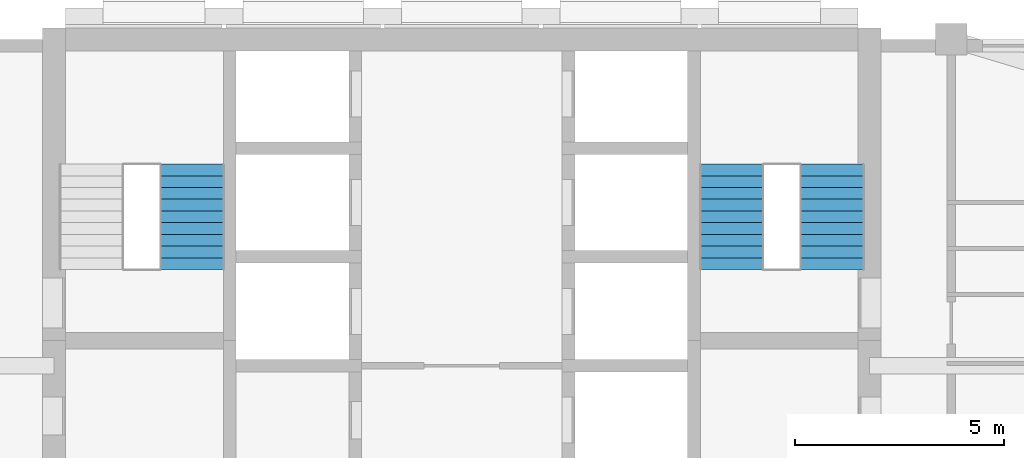
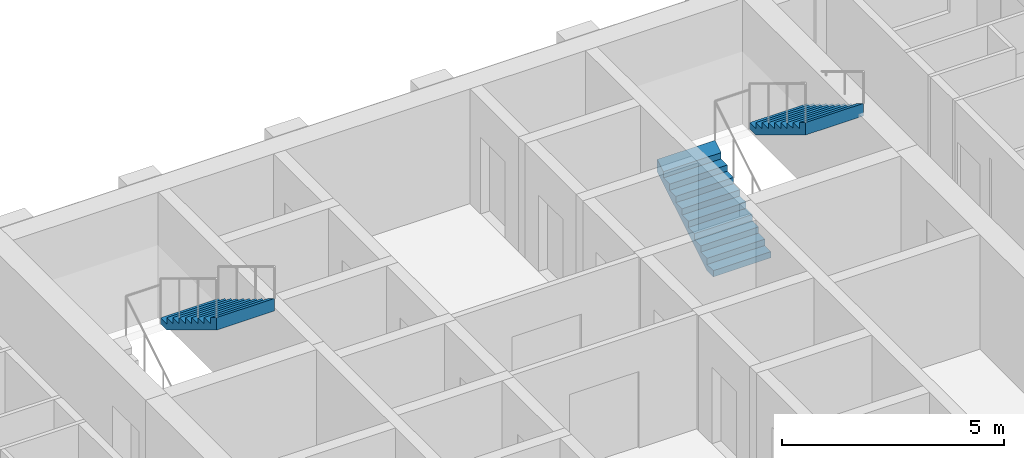
# One storey, part 11 of 13: 3 stair flights, 2 elements without a shape of their own.
"""IFC4 building model written with IfcOpenShell, lengths in metres."""

from ifc_helpers import new_model, si_unit, direction, frame, origin, place, context, subcontext, project, spatial, triangles, material, type_object, element, aggregate, save


model = new_model("IFC4")

# Units and contexts
model_context = context("Model", 3, precision=1e-05, world=origin(), true_north=direction((0.0, 1.0)))
body_context = subcontext(model_context, "Body", "Model", "MODEL_VIEW")
ifc_project = project(units=[si_unit("LENGTHUNIT", "METRE"), si_unit("AREAUNIT", "SQUARE_METRE"), si_unit("VOLUMEUNIT", "CUBIC_METRE"), si_unit("PLANEANGLEUNIT", "RADIAN"), si_unit("MASSUNIT", "GRAM", prefix="KILO")], contexts=[model_context])

# Site, building, storey
site_placement = place(None, origin())
site = spatial("IfcSite", under=ifc_project, at=site_placement, CompositionType="ELEMENT")
building_placement = place(site_placement, origin())
building = spatial("IfcBuilding", under=site, at=building_placement, Name="Ludao Terraces", CompositionType="ELEMENT")
storey_placement = place(building_placement, frame((0.0, 0.0, 179.199951171875)))
storey = spatial("IfcBuildingStorey", under=building, at=storey_placement, Name="L48", CompositionType="ELEMENT", Elevation=179.199951171875)

# Stair, stair flight
ifc_material = material(Name="Concrete C40", Category="concrete")
stair_type = type_object("IfcStairType", Name="INT Stair", PredefinedType="HALF_TURN_STAIR", material=ifc_material)
stair_1_placement = place(storey_placement, origin())
stair_1 = element("IfcStair", 1, at=stair_1_placement, inside=storey, type_object=stair_type, Name="EXIT STAIR 1", PredefinedType="HALF_TURN_STAIR")
stair_flight_type = type_object("IfcStairFlightType", Name="INT Stair flight", PredefinedType="STRAIGHT", material=ifc_material)
stair_flight_1_placement = place(storey_placement, frame((78.550048828125, 81.52001953125, 1.699951171875), z_axis=(0.0, 0.0, 1.0), x_axis=(0.0, -1.0, 0.0)))
stair_flight_1 = element("IfcStairFlight", 2, at=stair_flight_1_placement, type_object=stair_flight_type, Name="ST1 flight 2", NumberOfRisers=10, NumberOfTreads=9, PredefinedType="STRAIGHT", RiserHeight=0.17, TreadLength=0.28, context=body_context, shape_type="Tessellation", body=[
    triangles([(0.0, -0.75, 0.0), (0.0, -0.5, 0.0), (0.0, -0.25, 0.0), (0.0, 0.0, 0.0), (0.0, 0.25, 0.0), (0.0, 0.5, 0.0), (0.0, 0.75, 0.0), (0.0, -0.75, 0.169921875), (0.0, -0.5, 0.169921875), (0.0, -0.25, 0.169921875), (0.0, 0.0, 0.169921875), (0.0, 0.25, 0.169921875), (0.0, 0.5, 0.169921875), (0.0, 0.75, 0.169921875), (0.280029296875, -0.75, 0.169921875), (0.280029296875, -0.5, 0.169921875), (0.280029296875, -0.25, 0.169921875), (0.280029296875, 0.0, 0.169921875), (0.280029296875, 0.25, 0.169921875), (0.280029296875, 0.5, 0.169921875), (0.280029296875, 0.75, 0.169921875), (0.280029296875, -0.75, 0.340087890625), (0.280029296875, -0.5, 0.340087890625), (0.280029296875, -0.25, 0.340087890625), (0.280029296875, 0.0, 0.340087890625), (0.280029296875, 0.25, 0.340087890625), (0.280029296875, 0.5, 0.340087890625), (0.280029296875, 0.75, 0.340087890625), (0.56005859375, -0.75, 0.340087890625), (0.56005859375, -0.5, 0.340087890625), (0.56005859375, -0.25, 0.340087890625), (0.56005859375, 0.0, 0.340087890625), (0.56005859375, 0.25, 0.340087890625), (0.56005859375, 0.5, 0.340087890625), (0.56005859375, 0.75, 0.340087890625), (0.56005859375, -0.75, 0.510009765625), (0.56005859375, -0.5, 0.510009765625), (0.56005859375, -0.25, 0.510009765625), (0.56005859375, 0.0, 0.510009765625), (0.56005859375, 0.25, 0.510009765625), (0.56005859375, 0.5, 0.510009765625), (0.56005859375, 0.75, 0.510009765625), (0.840087890625, -0.75, 0.510009765625), (0.840087890625, -0.5, 0.510009765625), (0.840087890625, -0.25, 0.510009765625), (0.840087890625, 0.0, 0.510009765625), (0.840087890625, 0.25, 0.510009765625), (0.840087890625, 0.5, 0.510009765625), (0.840087890625, 0.75, 0.510009765625), (0.840087890625, -0.75, 0.679931640625), (0.840087890625, -0.5, 0.679931640625), (0.840087890625, -0.25, 0.679931640625), (0.840087890625, 0.0, 0.679931640625), (0.840087890625, 0.25, 0.679931640625), (0.840087890625, 0.5, 0.679931640625), (0.840087890625, 0.75, 0.679931640625), (1.1201171875, -0.75, 0.679931640625), (1.1201171875, -0.5, 0.679931640625), (1.1201171875, -0.25, 0.679931640625), (1.1201171875, 0.0, 0.679931640625), (1.1201171875, 0.25, 0.679931640625), (1.1201171875, 0.5, 0.679931640625), (1.1201171875, 0.75, 0.679931640625), (1.1201171875, -0.75, 0.85009765625), (1.1201171875, -0.5, 0.85009765625), (1.1201171875, -0.25, 0.85009765625), (1.1201171875, 0.0, 0.85009765625), (1.1201171875, 0.25, 0.85009765625), (1.1201171875, 0.5, 0.85009765625), (1.1201171875, 0.75, 0.85009765625), (1.39990234375, -0.75, 0.85009765625), (1.39990234375, -0.5, 0.85009765625), (1.39990234375, -0.25, 0.85009765625), (1.39990234375, 0.0, 0.85009765625), (1.39990234375, 0.25, 0.85009765625), (1.39990234375, 0.5, 0.85009765625), (1.39990234375, 0.75, 0.85009765625), (1.39990234375, -0.75, 1.02001953125), (1.39990234375, -0.5, 1.02001953125), (1.39990234375, -0.25, 1.02001953125), (1.39990234375, 0.0, 1.02001953125), (1.39990234375, 0.25, 1.02001953125), (1.39990234375, 0.5, 1.02001953125), (1.39990234375, 0.75, 1.02001953125), (1.679931640625, -0.75, 1.02001953125), (1.679931640625, -0.5, 1.02001953125), (1.679931640625, -0.25, 1.02001953125), (1.679931640625, 0.0, 1.02001953125), (1.679931640625, 0.25, 1.02001953125), (1.679931640625, 0.5, 1.02001953125), (1.679931640625, 0.75, 1.02001953125), (1.679931640625, -0.75, 1.18994140625), (1.679931640625, -0.5, 1.18994140625), (1.679931640625, -0.25, 1.18994140625), (1.679931640625, 0.0, 1.18994140625), (1.679931640625, 0.25, 1.18994140625), (1.679931640625, 0.5, 1.18994140625), (1.679931640625, 0.75, 1.18994140625), (1.9599609375, -0.75, 1.18994140625), (1.9599609375, -0.5, 1.18994140625), (1.9599609375, -0.25, 1.18994140625), (1.9599609375, 0.0, 1.18994140625), (1.9599609375, 0.25, 1.18994140625), (1.9599609375, 0.5, 1.18994140625), (1.9599609375, 0.75, 1.18994140625), (1.9599609375, -0.75, 1.360107421875), (1.9599609375, -0.5, 1.360107421875), (1.9599609375, -0.25, 1.360107421875), (1.9599609375, 0.0, 1.360107421875), (1.9599609375, 0.25, 1.360107421875), (1.9599609375, 0.5, 1.360107421875), (1.9599609375, 0.75, 1.360107421875), (2.239990234375, -0.75, 1.360107421875), (2.239990234375, -0.5, 1.360107421875), (2.239990234375, -0.25, 1.360107421875), (2.239990234375, 0.0, 1.360107421875), (2.239990234375, 0.25, 1.360107421875), (2.239990234375, 0.5, 1.360107421875), (2.239990234375, 0.75, 1.360107421875), (2.239990234375, -0.75, 1.530029296875), (2.239990234375, -0.5, 1.530029296875), (2.239990234375, -0.25, 1.530029296875), (2.239990234375, 0.0, 1.530029296875), (2.239990234375, 0.25, 1.530029296875), (2.239990234375, 0.5, 1.530029296875), (2.239990234375, 0.75, 1.530029296875), (2.52001953125, -0.75, 1.699951171875), (2.52001953125, -0.5, 1.699951171875), (2.52001953125, -0.25, 1.699951171875), (2.52001953125, 0.0, 1.699951171875), (2.52001953125, 0.25, 1.699951171875), (2.52001953125, 0.5, 1.699951171875), (2.52001953125, 0.75, 1.699951171875), (2.52001953125, -0.75, 1.354736328125), (2.52001953125, -0.5, 1.354736328125), (2.52001953125, -0.25, 1.354736328125), (2.52001953125, 0.0, 1.354736328125), (2.52001953125, 0.25, 1.354736328125), (2.52001953125, 0.5, 1.354736328125), (2.52001953125, 0.75, 1.354736328125), (0.288818359375, -0.75, 0.0), (0.288818359375, -0.5, 0.0), (0.288818359375, -0.25, 0.0), (0.288818359375, 0.0, 0.0), (0.288818359375, 0.25, 0.0), (0.288818359375, 0.5, 0.0), (0.288818359375, 0.75, 0.0)], [[1, 141, 134], [7, 140, 147], [134, 127, 120], [140, 126, 133], [134, 120, 113], [140, 119, 126], [134, 113, 106], [140, 112, 119], [134, 106, 99], [140, 105, 112], [99, 92, 85], [105, 91, 98], [134, 99, 85], [140, 91, 105], [85, 78, 71], [91, 77, 84], [134, 85, 71], [140, 77, 91], [71, 64, 57], [77, 63, 70], [134, 71, 57], [140, 63, 77], [57, 50, 43], [63, 49, 56], [134, 57, 43], [140, 49, 63], [43, 36, 29], [49, 35, 42], [134, 43, 29], [140, 35, 49], [29, 22, 15], [35, 21, 28], [134, 29, 15], [140, 21, 35], [1, 134, 15], [7, 21, 140], [15, 8, 1], [21, 7, 14], [1, 9, 2], [1, 8, 9], [2, 10, 3], [2, 9, 10], [3, 11, 4], [3, 10, 11], [4, 12, 5], [4, 11, 12], [5, 13, 6], [5, 12, 13], [6, 14, 7], [6, 13, 14], [8, 16, 9], [8, 15, 16], [9, 17, 10], [9, 16, 17], [10, 18, 11], [10, 17, 18], [11, 19, 12], [11, 18, 19], [12, 20, 13], [12, 19, 20], [13, 21, 14], [13, 20, 21], [15, 23, 16], [15, 22, 23], [16, 24, 17], [16, 23, 24], [17, 25, 18], [17, 24, 25], [18, 26, 19], [18, 25, 26], [19, 27, 20], [19, 26, 27], [20, 28, 21], [20, 27, 28], [22, 30, 23], [22, 29, 30], [23, 31, 24], [23, 30, 31], [24, 32, 25], [24, 31, 32], [25, 33, 26], [25, 32, 33], [26, 34, 27], [26, 33, 34], [27, 35, 28], [27, 34, 35], [29, 37, 30], [29, 36, 37], [30, 38, 31], [30, 37, 38], [31, 39, 32], [31, 38, 39], [32, 40, 33], [32, 39, 40], [33, 41, 34], [33, 40, 41], [34, 42, 35], [34, 41, 42], [36, 44, 37], [36, 43, 44], [37, 45, 38], [37, 44, 45], [38, 46, 39], [38, 45, 46], [39, 47, 40], [39, 46, 47], [40, 48, 41], [40, 47, 48], [41, 49, 42], [41, 48, 49], [43, 51, 44], [43, 50, 51], [44, 52, 45], [44, 51, 52], [45, 53, 46], [45, 52, 53], [46, 54, 47], [46, 53, 54], [47, 55, 48], [47, 54, 55], [48, 56, 49], [48, 55, 56], [50, 58, 51], [50, 57, 58], [51, 59, 52], [51, 58, 59], [52, 60, 53], [52, 59, 60], [53, 61, 54], [53, 60, 61], [54, 62, 55], [54, 61, 62], [55, 63, 56], [55, 62, 63], [57, 65, 58], [57, 64, 65], [58, 66, 59], [58, 65, 66], [59, 67, 60], [59, 66, 67], [60, 68, 61], [60, 67, 68], [61, 69, 62], [61, 68, 69], [62, 70, 63], [62, 69, 70], [64, 72, 65], [64, 71, 72], [65, 73, 66], [65, 72, 73], [66, 74, 67], [66, 73, 74], [67, 75, 68], [67, 74, 75], [68, 76, 69], [68, 75, 76], [69, 77, 70], [69, 76, 77], [71, 79, 72], [71, 78, 79], [72, 80, 73], [72, 79, 80], [73, 81, 74], [73, 80, 81], [74, 82, 75], [74, 81, 82], [75, 83, 76], [75, 82, 83], [76, 84, 77], [76, 83, 84], [78, 86, 79], [78, 85, 86], [79, 87, 80], [79, 86, 87], [80, 88, 81], [80, 87, 88], [81, 89, 82], [81, 88, 89], [82, 90, 83], [82, 89, 90], [83, 91, 84], [83, 90, 91], [85, 93, 86], [85, 92, 93], [86, 94, 87], [86, 93, 94], [87, 95, 88], [87, 94, 95], [88, 96, 89], [88, 95, 96], [89, 97, 90], [89, 96, 97], [90, 98, 91], [90, 97, 98], [92, 100, 93], [92, 99, 100], [93, 101, 94], [93, 100, 101], [94, 102, 95], [94, 101, 102], [95, 103, 96], [95, 102, 103], [96, 104, 97], [96, 103, 104], [97, 105, 98], [97, 104, 105], [99, 107, 100], [99, 106, 107], [100, 108, 101], [100, 107, 108], [101, 109, 102], [101, 108, 109], [102, 110, 103], [102, 109, 110], [103, 111, 104], [103, 110, 111], [104, 112, 105], [104, 111, 112], [106, 114, 107], [106, 113, 114], [107, 115, 108], [107, 114, 115], [108, 116, 109], [108, 115, 116], [109, 117, 110], [109, 116, 117], [110, 118, 111], [110, 117, 118], [111, 119, 112], [111, 118, 119], [113, 121, 114], [113, 120, 121], [114, 122, 115], [114, 121, 122], [115, 123, 116], [115, 122, 123], [116, 124, 117], [116, 123, 124], [117, 125, 118], [117, 124, 125], [118, 126, 119], [118, 125, 126], [120, 128, 121], [120, 127, 128], [121, 129, 122], [121, 128, 129], [122, 130, 123], [122, 129, 130], [123, 131, 124], [123, 130, 131], [124, 132, 125], [124, 131, 132], [125, 133, 126], [125, 132, 133], [127, 135, 128], [127, 134, 135], [128, 136, 129], [128, 135, 136], [129, 137, 130], [129, 136, 137], [130, 138, 131], [130, 137, 138], [131, 139, 132], [131, 138, 139], [132, 140, 133], [132, 139, 140], [134, 142, 135], [134, 141, 142], [135, 143, 136], [135, 142, 143], [136, 144, 137], [136, 143, 144], [137, 145, 138], [137, 144, 145], [138, 146, 139], [138, 145, 146], [139, 147, 140], [139, 146, 147], [141, 2, 142], [141, 1, 2], [142, 3, 143], [142, 2, 3], [143, 4, 144], [143, 3, 4], [144, 5, 145], [144, 4, 5], [145, 6, 146], [145, 5, 6], [146, 7, 147], [146, 6, 7]], closed=True),
])
aggregate(stair_1, [stair_flight_1])

# Stair, stair flights
stair_2_placement = place(storey_placement, origin())
stair_2 = element("IfcStair", 3, at=stair_2_placement, inside=storey, type_object=stair_type, Name="EXIT STAIR 2", PredefinedType="HALF_TURN_STAIR")
stair_flight_2_placement = place(storey_placement, frame((91.449951171875, 79.0, 0.0), z_axis=(0.0, 0.0, 1.0), x_axis=(0.0, 1.0, 0.0)))
stair_flight_2 = element("IfcStairFlight", 4, at=stair_flight_2_placement, type_object=stair_flight_type, Name="ST2 flight 1", NumberOfRisers=10, NumberOfTreads=9, PredefinedType="STRAIGHT", RiserHeight=0.17, TreadLength=0.28, context=body_context, shape_type="Tessellation", body=[
    triangles([(0.0, -0.75, 0.0), (0.0, -0.5, 0.0), (0.0, -0.25, 0.0), (0.0, 0.0, 0.0), (0.0, 0.25, 0.0), (0.0, 0.5, 0.0), (0.0, 0.75, 0.0), (0.0, -0.75, 0.169921875), (0.0, -0.5, 0.169921875), (0.0, -0.25, 0.169921875), (0.0, 0.0, 0.169921875), (0.0, 0.25, 0.169921875), (0.0, 0.5, 0.169921875), (0.0, 0.75, 0.169921875), (0.280029296875, -0.75, 0.169921875), (0.280029296875, -0.5, 0.169921875), (0.280029296875, -0.25, 0.169921875), (0.280029296875, 0.0, 0.169921875), (0.280029296875, 0.25, 0.169921875), (0.280029296875, 0.5, 0.169921875), (0.280029296875, 0.75, 0.169921875), (0.280029296875, -0.75, 0.340087890625), (0.280029296875, -0.5, 0.340087890625), (0.280029296875, -0.25, 0.340087890625), (0.280029296875, 0.0, 0.340087890625), (0.280029296875, 0.25, 0.340087890625), (0.280029296875, 0.5, 0.340087890625), (0.280029296875, 0.75, 0.340087890625), (0.56005859375, -0.75, 0.340087890625), (0.56005859375, -0.5, 0.340087890625), (0.56005859375, -0.25, 0.340087890625), (0.56005859375, 0.0, 0.340087890625), (0.56005859375, 0.25, 0.340087890625), (0.56005859375, 0.5, 0.340087890625), (0.56005859375, 0.75, 0.340087890625), (0.56005859375, -0.75, 0.510009765625), (0.56005859375, -0.5, 0.510009765625), (0.56005859375, -0.25, 0.510009765625), (0.56005859375, 0.0, 0.510009765625), (0.56005859375, 0.25, 0.510009765625), (0.56005859375, 0.5, 0.510009765625), (0.56005859375, 0.75, 0.510009765625), (0.840087890625, -0.75, 0.510009765625), (0.840087890625, -0.5, 0.510009765625), (0.840087890625, -0.25, 0.510009765625), (0.840087890625, 0.0, 0.510009765625), (0.840087890625, 0.25, 0.510009765625), (0.840087890625, 0.5, 0.510009765625), (0.840087890625, 0.75, 0.510009765625), (0.840087890625, -0.75, 0.679931640625), (0.840087890625, -0.5, 0.679931640625), (0.840087890625, -0.25, 0.679931640625), (0.840087890625, 0.0, 0.679931640625), (0.840087890625, 0.25, 0.679931640625), (0.840087890625, 0.5, 0.679931640625), (0.840087890625, 0.75, 0.679931640625), (1.1201171875, -0.75, 0.679931640625), (1.1201171875, -0.5, 0.679931640625), (1.1201171875, -0.25, 0.679931640625), (1.1201171875, 0.0, 0.679931640625), (1.1201171875, 0.25, 0.679931640625), (1.1201171875, 0.5, 0.679931640625), (1.1201171875, 0.75, 0.679931640625), (1.1201171875, -0.75, 0.85009765625), (1.1201171875, -0.5, 0.85009765625), (1.1201171875, -0.25, 0.85009765625), (1.1201171875, 0.0, 0.85009765625), (1.1201171875, 0.25, 0.85009765625), (1.1201171875, 0.5, 0.85009765625), (1.1201171875, 0.75, 0.85009765625), (1.39990234375, -0.75, 0.85009765625), (1.39990234375, -0.5, 0.85009765625), (1.39990234375, -0.25, 0.85009765625), (1.39990234375, 0.0, 0.85009765625), (1.39990234375, 0.25, 0.85009765625), (1.39990234375, 0.5, 0.85009765625), (1.39990234375, 0.75, 0.85009765625), (1.39990234375, -0.75, 1.02001953125), (1.39990234375, -0.5, 1.02001953125), (1.39990234375, -0.25, 1.02001953125), (1.39990234375, 0.0, 1.02001953125), (1.39990234375, 0.25, 1.02001953125), (1.39990234375, 0.5, 1.02001953125), (1.39990234375, 0.75, 1.02001953125), (1.679931640625, -0.75, 1.02001953125), (1.679931640625, -0.5, 1.02001953125), (1.679931640625, -0.25, 1.02001953125), (1.679931640625, 0.0, 1.02001953125), (1.679931640625, 0.25, 1.02001953125), (1.679931640625, 0.5, 1.02001953125), (1.679931640625, 0.75, 1.02001953125), (1.679931640625, -0.75, 1.18994140625), (1.679931640625, -0.5, 1.18994140625), (1.679931640625, -0.25, 1.18994140625), (1.679931640625, 0.0, 1.18994140625), (1.679931640625, 0.25, 1.18994140625), (1.679931640625, 0.5, 1.18994140625), (1.679931640625, 0.75, 1.18994140625), (1.9599609375, -0.75, 1.18994140625), (1.9599609375, -0.5, 1.18994140625), (1.9599609375, -0.25, 1.18994140625), (1.9599609375, 0.0, 1.18994140625), (1.9599609375, 0.25, 1.18994140625), (1.9599609375, 0.5, 1.18994140625), (1.9599609375, 0.75, 1.18994140625), (1.9599609375, -0.75, 1.360107421875), (1.9599609375, -0.5, 1.360107421875), (1.9599609375, -0.25, 1.360107421875), (1.9599609375, 0.0, 1.360107421875), (1.9599609375, 0.25, 1.360107421875), (1.9599609375, 0.5, 1.360107421875), (1.9599609375, 0.75, 1.360107421875), (2.239990234375, -0.75, 1.360107421875), (2.239990234375, -0.5, 1.360107421875), (2.239990234375, -0.25, 1.360107421875), (2.239990234375, 0.0, 1.360107421875), (2.239990234375, 0.25, 1.360107421875), (2.239990234375, 0.5, 1.360107421875), (2.239990234375, 0.75, 1.360107421875), (2.239990234375, -0.75, 1.530029296875), (2.239990234375, -0.5, 1.530029296875), (2.239990234375, -0.25, 1.530029296875), (2.239990234375, 0.0, 1.530029296875), (2.239990234375, 0.25, 1.530029296875), (2.239990234375, 0.5, 1.530029296875), (2.239990234375, 0.75, 1.530029296875), (2.52001953125, -0.75, 1.699951171875), (2.52001953125, -0.5, 1.699951171875), (2.52001953125, -0.25, 1.699951171875), (2.52001953125, 0.0, 1.699951171875), (2.52001953125, 0.25, 1.699951171875), (2.52001953125, 0.5, 1.699951171875), (2.52001953125, 0.75, 1.699951171875), (2.52001953125, -0.75, 1.354736328125), (2.52001953125, -0.5, 1.354736328125), (2.52001953125, -0.25, 1.354736328125), (2.52001953125, 0.0, 1.354736328125), (2.52001953125, 0.25, 1.354736328125), (2.52001953125, 0.5, 1.354736328125), (2.52001953125, 0.75, 1.354736328125), (0.288818359375, -0.75, 0.0), (0.288818359375, -0.5, 0.0), (0.288818359375, -0.25, 0.0), (0.288818359375, 0.0, 0.0), (0.288818359375, 0.25, 0.0), (0.288818359375, 0.5, 0.0), (0.288818359375, 0.75, 0.0)], [[1, 141, 134], [7, 140, 147], [134, 127, 120], [140, 126, 133], [134, 120, 113], [140, 119, 126], [134, 113, 106], [140, 112, 119], [134, 106, 99], [140, 105, 112], [99, 92, 85], [105, 91, 98], [134, 99, 85], [140, 91, 105], [85, 78, 71], [91, 77, 84], [134, 85, 71], [140, 77, 91], [71, 64, 57], [77, 63, 70], [134, 71, 57], [140, 63, 77], [57, 50, 43], [63, 49, 56], [134, 57, 43], [140, 49, 63], [43, 36, 29], [49, 35, 42], [134, 43, 29], [140, 35, 49], [29, 22, 15], [35, 21, 28], [134, 29, 15], [140, 21, 35], [1, 134, 15], [7, 21, 140], [15, 8, 1], [21, 7, 14], [1, 9, 2], [1, 8, 9], [2, 10, 3], [2, 9, 10], [3, 11, 4], [3, 10, 11], [4, 12, 5], [4, 11, 12], [5, 13, 6], [5, 12, 13], [6, 14, 7], [6, 13, 14], [8, 16, 9], [8, 15, 16], [9, 17, 10], [9, 16, 17], [10, 18, 11], [10, 17, 18], [11, 19, 12], [11, 18, 19], [12, 20, 13], [12, 19, 20], [13, 21, 14], [13, 20, 21], [15, 23, 16], [15, 22, 23], [16, 24, 17], [16, 23, 24], [17, 25, 18], [17, 24, 25], [18, 26, 19], [18, 25, 26], [19, 27, 20], [19, 26, 27], [20, 28, 21], [20, 27, 28], [22, 30, 23], [22, 29, 30], [23, 31, 24], [23, 30, 31], [24, 32, 25], [24, 31, 32], [25, 33, 26], [25, 32, 33], [26, 34, 27], [26, 33, 34], [27, 35, 28], [27, 34, 35], [29, 37, 30], [29, 36, 37], [30, 38, 31], [30, 37, 38], [31, 39, 32], [31, 38, 39], [32, 40, 33], [32, 39, 40], [33, 41, 34], [33, 40, 41], [34, 42, 35], [34, 41, 42], [36, 44, 37], [36, 43, 44], [37, 45, 38], [37, 44, 45], [38, 46, 39], [38, 45, 46], [39, 47, 40], [39, 46, 47], [40, 48, 41], [40, 47, 48], [41, 49, 42], [41, 48, 49], [43, 51, 44], [43, 50, 51], [44, 52, 45], [44, 51, 52], [45, 53, 46], [45, 52, 53], [46, 54, 47], [46, 53, 54], [47, 55, 48], [47, 54, 55], [48, 56, 49], [48, 55, 56], [50, 58, 51], [50, 57, 58], [51, 59, 52], [51, 58, 59], [52, 60, 53], [52, 59, 60], [53, 61, 54], [53, 60, 61], [54, 62, 55], [54, 61, 62], [55, 63, 56], [55, 62, 63], [57, 65, 58], [57, 64, 65], [58, 66, 59], [58, 65, 66], [59, 67, 60], [59, 66, 67], [60, 68, 61], [60, 67, 68], [61, 69, 62], [61, 68, 69], [62, 70, 63], [62, 69, 70], [64, 72, 65], [64, 71, 72], [65, 73, 66], [65, 72, 73], [66, 74, 67], [66, 73, 74], [67, 75, 68], [67, 74, 75], [68, 76, 69], [68, 75, 76], [69, 77, 70], [69, 76, 77], [71, 79, 72], [71, 78, 79], [72, 80, 73], [72, 79, 80], [73, 81, 74], [73, 80, 81], [74, 82, 75], [74, 81, 82], [75, 83, 76], [75, 82, 83], [76, 84, 77], [76, 83, 84], [78, 86, 79], [78, 85, 86], [79, 87, 80], [79, 86, 87], [80, 88, 81], [80, 87, 88], [81, 89, 82], [81, 88, 89], [82, 90, 83], [82, 89, 90], [83, 91, 84], [83, 90, 91], [85, 93, 86], [85, 92, 93], [86, 94, 87], [86, 93, 94], [87, 95, 88], [87, 94, 95], [88, 96, 89], [88, 95, 96], [89, 97, 90], [89, 96, 97], [90, 98, 91], [90, 97, 98], [92, 100, 93], [92, 99, 100], [93, 101, 94], [93, 100, 101], [94, 102, 95], [94, 101, 102], [95, 103, 96], [95, 102, 103], [96, 104, 97], [96, 103, 104], [97, 105, 98], [97, 104, 105], [99, 107, 100], [99, 106, 107], [100, 108, 101], [100, 107, 108], [101, 109, 102], [101, 108, 109], [102, 110, 103], [102, 109, 110], [103, 111, 104], [103, 110, 111], [104, 112, 105], [104, 111, 112], [106, 114, 107], [106, 113, 114], [107, 115, 108], [107, 114, 115], [108, 116, 109], [108, 115, 116], [109, 117, 110], [109, 116, 117], [110, 118, 111], [110, 117, 118], [111, 119, 112], [111, 118, 119], [113, 121, 114], [113, 120, 121], [114, 122, 115], [114, 121, 122], [115, 123, 116], [115, 122, 123], [116, 124, 117], [116, 123, 124], [117, 125, 118], [117, 124, 125], [118, 126, 119], [118, 125, 126], [120, 128, 121], [120, 127, 128], [121, 129, 122], [121, 128, 129], [122, 130, 123], [122, 129, 130], [123, 131, 124], [123, 130, 131], [124, 132, 125], [124, 131, 132], [125, 133, 126], [125, 132, 133], [127, 135, 128], [127, 134, 135], [128, 136, 129], [128, 135, 136], [129, 137, 130], [129, 136, 137], [130, 138, 131], [130, 137, 138], [131, 139, 132], [131, 138, 139], [132, 140, 133], [132, 139, 140], [134, 142, 135], [134, 141, 142], [135, 143, 136], [135, 142, 143], [136, 144, 137], [136, 143, 144], [137, 145, 138], [137, 144, 145], [138, 146, 139], [138, 145, 146], [139, 147, 140], [139, 146, 147], [141, 2, 142], [141, 1, 2], [142, 3, 143], [142, 2, 3], [143, 4, 144], [143, 3, 4], [144, 5, 145], [144, 4, 5], [145, 6, 146], [145, 5, 6], [146, 7, 147], [146, 6, 7]], closed=True),
])
stair_flight_3_placement = place(storey_placement, frame((93.85009765625, 81.52001953125, 1.699951171875), z_axis=(0.0, 0.0, 1.0), x_axis=(0.0, -1.0, 0.0)))
stair_flight_3 = element("IfcStairFlight", 5, at=stair_flight_3_placement, type_object=stair_flight_type, Name="ST2 flight 2", NumberOfRisers=10, NumberOfTreads=9, PredefinedType="STRAIGHT", RiserHeight=0.17, TreadLength=0.28, context=body_context, shape_type="Tessellation", body=[
    triangles([(0.0, -0.75, 0.0), (0.0, -0.5, 0.0), (0.0, -0.25, 0.0), (0.0, 0.0, 0.0), (0.0, 0.25, 0.0), (0.0, 0.5, 0.0), (0.0, 0.75, 0.0), (0.0, -0.75, 0.169921875), (0.0, -0.5, 0.169921875), (0.0, -0.25, 0.169921875), (0.0, 0.0, 0.169921875), (0.0, 0.25, 0.169921875), (0.0, 0.5, 0.169921875), (0.0, 0.75, 0.169921875), (0.280029296875, -0.75, 0.169921875), (0.280029296875, -0.5, 0.169921875), (0.280029296875, -0.25, 0.169921875), (0.280029296875, 0.0, 0.169921875), (0.280029296875, 0.25, 0.169921875), (0.280029296875, 0.5, 0.169921875), (0.280029296875, 0.75, 0.169921875), (0.280029296875, -0.75, 0.340087890625), (0.280029296875, -0.5, 0.340087890625), (0.280029296875, -0.25, 0.340087890625), (0.280029296875, 0.0, 0.340087890625), (0.280029296875, 0.25, 0.340087890625), (0.280029296875, 0.5, 0.340087890625), (0.280029296875, 0.75, 0.340087890625), (0.56005859375, -0.75, 0.340087890625), (0.56005859375, -0.5, 0.340087890625), (0.56005859375, -0.25, 0.340087890625), (0.56005859375, 0.0, 0.340087890625), (0.56005859375, 0.25, 0.340087890625), (0.56005859375, 0.5, 0.340087890625), (0.56005859375, 0.75, 0.340087890625), (0.56005859375, -0.75, 0.510009765625), (0.56005859375, -0.5, 0.510009765625), (0.56005859375, -0.25, 0.510009765625), (0.56005859375, 0.0, 0.510009765625), (0.56005859375, 0.25, 0.510009765625), (0.56005859375, 0.5, 0.510009765625), (0.56005859375, 0.75, 0.510009765625), (0.840087890625, -0.75, 0.510009765625), (0.840087890625, -0.5, 0.510009765625), (0.840087890625, -0.25, 0.510009765625), (0.840087890625, 0.0, 0.510009765625), (0.840087890625, 0.25, 0.510009765625), (0.840087890625, 0.5, 0.510009765625), (0.840087890625, 0.75, 0.510009765625), (0.840087890625, -0.75, 0.679931640625), (0.840087890625, -0.5, 0.679931640625), (0.840087890625, -0.25, 0.679931640625), (0.840087890625, 0.0, 0.679931640625), (0.840087890625, 0.25, 0.679931640625), (0.840087890625, 0.5, 0.679931640625), (0.840087890625, 0.75, 0.679931640625), (1.1201171875, -0.75, 0.679931640625), (1.1201171875, -0.5, 0.679931640625), (1.1201171875, -0.25, 0.679931640625), (1.1201171875, 0.0, 0.679931640625), (1.1201171875, 0.25, 0.679931640625), (1.1201171875, 0.5, 0.679931640625), (1.1201171875, 0.75, 0.679931640625), (1.1201171875, -0.75, 0.85009765625), (1.1201171875, -0.5, 0.85009765625), (1.1201171875, -0.25, 0.85009765625), (1.1201171875, 0.0, 0.85009765625), (1.1201171875, 0.25, 0.85009765625), (1.1201171875, 0.5, 0.85009765625), (1.1201171875, 0.75, 0.85009765625), (1.39990234375, -0.75, 0.85009765625), (1.39990234375, -0.5, 0.85009765625), (1.39990234375, -0.25, 0.85009765625), (1.39990234375, 0.0, 0.85009765625), (1.39990234375, 0.25, 0.85009765625), (1.39990234375, 0.5, 0.85009765625), (1.39990234375, 0.75, 0.85009765625), (1.39990234375, -0.75, 1.02001953125), (1.39990234375, -0.5, 1.02001953125), (1.39990234375, -0.25, 1.02001953125), (1.39990234375, 0.0, 1.02001953125), (1.39990234375, 0.25, 1.02001953125), (1.39990234375, 0.5, 1.02001953125), (1.39990234375, 0.75, 1.02001953125), (1.679931640625, -0.75, 1.02001953125), (1.679931640625, -0.5, 1.02001953125), (1.679931640625, -0.25, 1.02001953125), (1.679931640625, 0.0, 1.02001953125), (1.679931640625, 0.25, 1.02001953125), (1.679931640625, 0.5, 1.02001953125), (1.679931640625, 0.75, 1.02001953125), (1.679931640625, -0.75, 1.18994140625), (1.679931640625, -0.5, 1.18994140625), (1.679931640625, -0.25, 1.18994140625), (1.679931640625, 0.0, 1.18994140625), (1.679931640625, 0.25, 1.18994140625), (1.679931640625, 0.5, 1.18994140625), (1.679931640625, 0.75, 1.18994140625), (1.9599609375, -0.75, 1.18994140625), (1.9599609375, -0.5, 1.18994140625), (1.9599609375, -0.25, 1.18994140625), (1.9599609375, 0.0, 1.18994140625), (1.9599609375, 0.25, 1.18994140625), (1.9599609375, 0.5, 1.18994140625), (1.9599609375, 0.75, 1.18994140625), (1.9599609375, -0.75, 1.360107421875), (1.9599609375, -0.5, 1.360107421875), (1.9599609375, -0.25, 1.360107421875), (1.9599609375, 0.0, 1.360107421875), (1.9599609375, 0.25, 1.360107421875), (1.9599609375, 0.5, 1.360107421875), (1.9599609375, 0.75, 1.360107421875), (2.239990234375, -0.75, 1.360107421875), (2.239990234375, -0.5, 1.360107421875), (2.239990234375, -0.25, 1.360107421875), (2.239990234375, 0.0, 1.360107421875), (2.239990234375, 0.25, 1.360107421875), (2.239990234375, 0.5, 1.360107421875), (2.239990234375, 0.75, 1.360107421875), (2.239990234375, -0.75, 1.530029296875), (2.239990234375, -0.5, 1.530029296875), (2.239990234375, -0.25, 1.530029296875), (2.239990234375, 0.0, 1.530029296875), (2.239990234375, 0.25, 1.530029296875), (2.239990234375, 0.5, 1.530029296875), (2.239990234375, 0.75, 1.530029296875), (2.52001953125, -0.75, 1.699951171875), (2.52001953125, -0.5, 1.699951171875), (2.52001953125, -0.25, 1.699951171875), (2.52001953125, 0.0, 1.699951171875), (2.52001953125, 0.25, 1.699951171875), (2.52001953125, 0.5, 1.699951171875), (2.52001953125, 0.75, 1.699951171875), (2.52001953125, -0.75, 1.354736328125), (2.52001953125, -0.5, 1.354736328125), (2.52001953125, -0.25, 1.354736328125), (2.52001953125, 0.0, 1.354736328125), (2.52001953125, 0.25, 1.354736328125), (2.52001953125, 0.5, 1.354736328125), (2.52001953125, 0.75, 1.354736328125), (0.288818359375, -0.75, 0.0), (0.288818359375, -0.5, 0.0), (0.288818359375, -0.25, 0.0), (0.288818359375, 0.0, 0.0), (0.288818359375, 0.25, 0.0), (0.288818359375, 0.5, 0.0), (0.288818359375, 0.75, 0.0)], [[1, 141, 134], [7, 140, 147], [134, 127, 120], [140, 126, 133], [134, 120, 113], [140, 119, 126], [134, 113, 106], [140, 112, 119], [134, 106, 99], [140, 105, 112], [99, 92, 85], [105, 91, 98], [134, 99, 85], [140, 91, 105], [85, 78, 71], [91, 77, 84], [134, 85, 71], [140, 77, 91], [71, 64, 57], [77, 63, 70], [134, 71, 57], [140, 63, 77], [57, 50, 43], [63, 49, 56], [134, 57, 43], [140, 49, 63], [43, 36, 29], [49, 35, 42], [134, 43, 29], [140, 35, 49], [29, 22, 15], [35, 21, 28], [134, 29, 15], [140, 21, 35], [1, 134, 15], [7, 21, 140], [15, 8, 1], [21, 7, 14], [1, 9, 2], [1, 8, 9], [2, 10, 3], [2, 9, 10], [3, 11, 4], [3, 10, 11], [4, 12, 5], [4, 11, 12], [5, 13, 6], [5, 12, 13], [6, 14, 7], [6, 13, 14], [8, 16, 9], [8, 15, 16], [9, 17, 10], [9, 16, 17], [10, 18, 11], [10, 17, 18], [11, 19, 12], [11, 18, 19], [12, 20, 13], [12, 19, 20], [13, 21, 14], [13, 20, 21], [15, 23, 16], [15, 22, 23], [16, 24, 17], [16, 23, 24], [17, 25, 18], [17, 24, 25], [18, 26, 19], [18, 25, 26], [19, 27, 20], [19, 26, 27], [20, 28, 21], [20, 27, 28], [22, 30, 23], [22, 29, 30], [23, 31, 24], [23, 30, 31], [24, 32, 25], [24, 31, 32], [25, 33, 26], [25, 32, 33], [26, 34, 27], [26, 33, 34], [27, 35, 28], [27, 34, 35], [29, 37, 30], [29, 36, 37], [30, 38, 31], [30, 37, 38], [31, 39, 32], [31, 38, 39], [32, 40, 33], [32, 39, 40], [33, 41, 34], [33, 40, 41], [34, 42, 35], [34, 41, 42], [36, 44, 37], [36, 43, 44], [37, 45, 38], [37, 44, 45], [38, 46, 39], [38, 45, 46], [39, 47, 40], [39, 46, 47], [40, 48, 41], [40, 47, 48], [41, 49, 42], [41, 48, 49], [43, 51, 44], [43, 50, 51], [44, 52, 45], [44, 51, 52], [45, 53, 46], [45, 52, 53], [46, 54, 47], [46, 53, 54], [47, 55, 48], [47, 54, 55], [48, 56, 49], [48, 55, 56], [50, 58, 51], [50, 57, 58], [51, 59, 52], [51, 58, 59], [52, 60, 53], [52, 59, 60], [53, 61, 54], [53, 60, 61], [54, 62, 55], [54, 61, 62], [55, 63, 56], [55, 62, 63], [57, 65, 58], [57, 64, 65], [58, 66, 59], [58, 65, 66], [59, 67, 60], [59, 66, 67], [60, 68, 61], [60, 67, 68], [61, 69, 62], [61, 68, 69], [62, 70, 63], [62, 69, 70], [64, 72, 65], [64, 71, 72], [65, 73, 66], [65, 72, 73], [66, 74, 67], [66, 73, 74], [67, 75, 68], [67, 74, 75], [68, 76, 69], [68, 75, 76], [69, 77, 70], [69, 76, 77], [71, 79, 72], [71, 78, 79], [72, 80, 73], [72, 79, 80], [73, 81, 74], [73, 80, 81], [74, 82, 75], [74, 81, 82], [75, 83, 76], [75, 82, 83], [76, 84, 77], [76, 83, 84], [78, 86, 79], [78, 85, 86], [79, 87, 80], [79, 86, 87], [80, 88, 81], [80, 87, 88], [81, 89, 82], [81, 88, 89], [82, 90, 83], [82, 89, 90], [83, 91, 84], [83, 90, 91], [85, 93, 86], [85, 92, 93], [86, 94, 87], [86, 93, 94], [87, 95, 88], [87, 94, 95], [88, 96, 89], [88, 95, 96], [89, 97, 90], [89, 96, 97], [90, 98, 91], [90, 97, 98], [92, 100, 93], [92, 99, 100], [93, 101, 94], [93, 100, 101], [94, 102, 95], [94, 101, 102], [95, 103, 96], [95, 102, 103], [96, 104, 97], [96, 103, 104], [97, 105, 98], [97, 104, 105], [99, 107, 100], [99, 106, 107], [100, 108, 101], [100, 107, 108], [101, 109, 102], [101, 108, 109], [102, 110, 103], [102, 109, 110], [103, 111, 104], [103, 110, 111], [104, 112, 105], [104, 111, 112], [106, 114, 107], [106, 113, 114], [107, 115, 108], [107, 114, 115], [108, 116, 109], [108, 115, 116], [109, 117, 110], [109, 116, 117], [110, 118, 111], [110, 117, 118], [111, 119, 112], [111, 118, 119], [113, 121, 114], [113, 120, 121], [114, 122, 115], [114, 121, 122], [115, 123, 116], [115, 122, 123], [116, 124, 117], [116, 123, 124], [117, 125, 118], [117, 124, 125], [118, 126, 119], [118, 125, 126], [120, 128, 121], [120, 127, 128], [121, 129, 122], [121, 128, 129], [122, 130, 123], [122, 129, 130], [123, 131, 124], [123, 130, 131], [124, 132, 125], [124, 131, 132], [125, 133, 126], [125, 132, 133], [127, 135, 128], [127, 134, 135], [128, 136, 129], [128, 135, 136], [129, 137, 130], [129, 136, 137], [130, 138, 131], [130, 137, 138], [131, 139, 132], [131, 138, 139], [132, 140, 133], [132, 139, 140], [134, 142, 135], [134, 141, 142], [135, 143, 136], [135, 142, 143], [136, 144, 137], [136, 143, 144], [137, 145, 138], [137, 144, 145], [138, 146, 139], [138, 145, 146], [139, 147, 140], [139, 146, 147], [141, 2, 142], [141, 1, 2], [142, 3, 143], [142, 2, 3], [143, 4, 144], [143, 3, 4], [144, 5, 145], [144, 4, 5], [145, 6, 146], [145, 5, 6], [146, 7, 147], [146, 6, 7]], closed=True),
])
aggregate(stair_2, [stair_flight_2, stair_flight_3])

save(model, "model.ifc")
